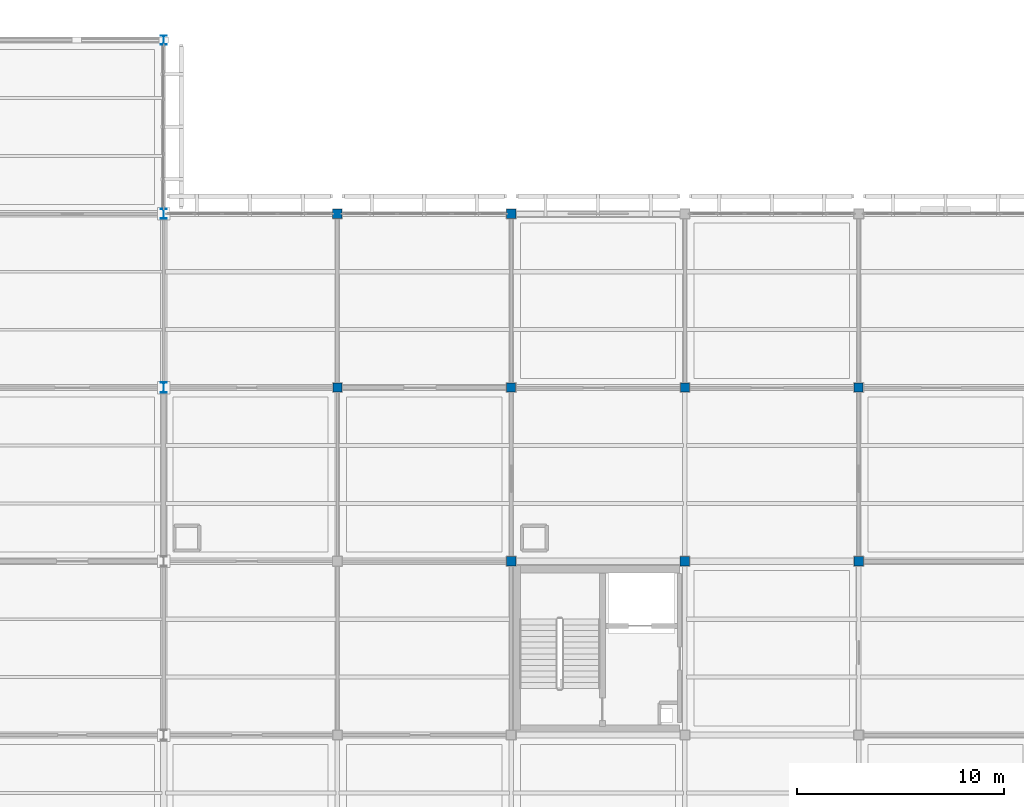
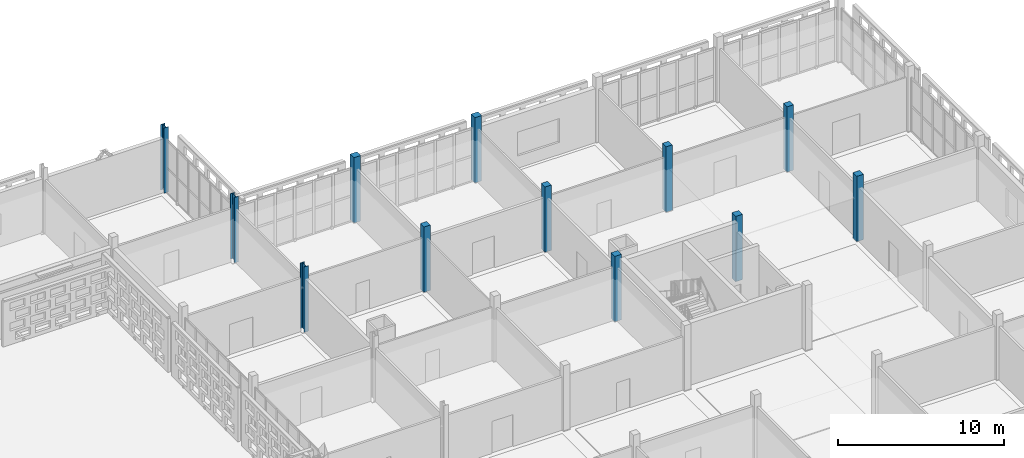
# One storey, part 14 of 203: 12 columns.
"""IFC4 building model written with IfcOpenShell, lengths in metres."""

import ifcopenshell
import ifcopenshell.guid

model = None  # the IFC model being written
_history = None  # IfcOwnerHistory: only IFC2X3 demands one
_inside = {}  # id of a spatial element -> (the spatial element, [elements in it])
_under = {}  # id of a project, library or spatial element -> (it, [spatial elements below it])
_declared = {}  # id of a project -> (the project, [libraries it declares])
_typed = {}  # id of a type object -> (the type object, [elements of that type])
_made_of = {}  # id of a material, layer set ... -> (it, [elements and type objects made of it])


def new_model(schema):
    """Start an empty IFC model of exactly this schema.

    Asked for "IFC4X3", IfcOpenShell would pick the latest addendum, in which some entities
    have other attributes; the version numbers below select the first issue.
    IFC2X3 requires an IfcOwnerHistory on every rooted entity: one is made here for all.
    """
    global model, _history
    if schema == "IFC4X3":
        model = ifcopenshell.file(schema_version=(4, 3, 0, 0))
    else:
        model = ifcopenshell.file(schema=schema)
    _inside.clear()
    _under.clear()
    _declared.clear()
    _typed.clear()
    _made_of.clear()
    _history = None
    if model.schema == "IFC2X3":
        org = make("IfcOrganization", Name="unknown")
        user = make(
            "IfcPersonAndOrganization",
            ThePerson=make("IfcPerson", FamilyName="unknown"),
            TheOrganization=org,
        )
        app = make(
            "IfcApplication",
            ApplicationDeveloper=org,
            Version="unknown",
            ApplicationFullName="unknown",
            ApplicationIdentifier="unknown",
        )
        _history = make(
            "IfcOwnerHistory",
            OwningUser=user,
            OwningApplication=app,
            ChangeAction="ADDED",
            CreationDate=0,
        )
    return model


def make(cls, **values):
    """One entity of the class cls with the attributes given. An attribute that is None is left unset."""
    return model.create_entity(
        cls, **{name: value for name, value in values.items() if value is not None}
    )


def rooted(cls, **values):
    """An entity with a GlobalId (a new one), such as an element, a storey or a relation."""
    return make(cls, GlobalId=ifcopenshell.guid.new(), OwnerHistory=_history, **values)


def si_unit(unit_type, name, prefix=None):
    """IfcSIUnit, for example si_unit("LENGTHUNIT", "METRE", prefix="MILLI")."""
    return make("IfcSIUnit", UnitType=unit_type, Prefix=prefix, Name=name)


def assignment(units):
    """IfcUnitAssignment: the units of a project."""
    return None if units is None else make("IfcUnitAssignment", Units=units)


def point(xyz):
    """IfcCartesianPoint."""
    return None if xyz is None else make("IfcCartesianPoint", Coordinates=xyz)


def direction(xyz):
    """IfcDirection."""
    return None if xyz is None else make("IfcDirection", DirectionRatios=xyz)


def frame(location, z_axis=None, x_axis=None):
    """IfcAxis2Placement3D, a coordinate frame: its origin and axes. An axis left out is left unset."""
    return make(
        "IfcAxis2Placement3D",
        Location=point(location),
        Axis=direction(z_axis),
        RefDirection=direction(x_axis),
    )


def frame_2d(location, x_axis=None):
    """IfcAxis2Placement2D, a coordinate frame in the plane: its origin and x axis."""
    return make(
        "IfcAxis2Placement2D", Location=point(location), RefDirection=direction(x_axis)
    )


def origin():
    """The frame at (0, 0, 0) with its axes left unset."""
    return frame((0.0, 0.0, 0.0))


def origin_2d():
    """The frame at (0, 0) in the plane with its x axis left unset."""
    return frame_2d((0.0, 0.0))


def place(relative_to, where):
    """IfcLocalPlacement: puts the frame where relative to a parent placement (None: the world)."""
    return make(
        "IfcLocalPlacement", PlacementRelTo=relative_to, RelativePlacement=where
    )


def context(
    kind, dimensions, precision=None, world=None, true_north=None, identifier=None
):
    """IfcGeometricRepresentationContext, for example the 3D "Model" context."""
    return make(
        "IfcGeometricRepresentationContext",
        ContextIdentifier=identifier,
        ContextType=kind,
        CoordinateSpaceDimension=dimensions,
        Precision=precision,
        WorldCoordinateSystem=world,
        TrueNorth=true_north,
    )


def subcontext(parent, identifier, kind, view, scale=None):
    """IfcGeometricRepresentationSubContext, for example "Body" below "Model"."""
    return make(
        "IfcGeometricRepresentationSubContext",
        ContextIdentifier=identifier,
        ContextType=kind,
        ParentContext=parent,
        TargetScale=scale,
        TargetView=view,
    )


def project(units=None, contexts=None):
    """IfcProject with its units and contexts."""
    return rooted(
        "IfcProject",
        Name="project",
        RepresentationContexts=contexts,
        UnitsInContext=assignment(units),
    )


def spatial(cls, under=None, at=None, **own):
    """A site, building, storey or space (cls), placed at a placement, below another one or the project."""
    s = rooted(cls, ObjectPlacement=at, **own)
    if under is not None:
        _under.setdefault(under.id(), (under, []))[1].append(s)
    return s


def profile(cls, at=None, kind="AREA", **sizes):
    """A parametric profile (cls). Its sizes go by their IFC names, for example OverallWidth=200.0."""
    return make(cls, ProfileType=kind, Position=at, **sizes)


def rectangle(**sizes):
    """IfcRectangleProfileDef."""
    return profile("IfcRectangleProfileDef", **sizes)


def i_section(**sizes):
    """IfcIShapeProfileDef."""
    return profile("IfcIShapeProfileDef", **sizes)


def extrude(swept, where, along, depth):
    """IfcExtrudedAreaSolid: the profile swept, set in the frame where, extruded along a direction by depth."""
    return make(
        "IfcExtrudedAreaSolid",
        SweptArea=swept,
        Position=where,
        ExtrudedDirection=direction(along),
        Depth=depth,
    )


def shape(context_of_items, identifier, shape_type, items):
    """IfcShapeRepresentation: the items that make up one representation, for example the "Body"."""
    return make(
        "IfcShapeRepresentation",
        ContextOfItems=context_of_items,
        RepresentationIdentifier=identifier,
        RepresentationType=shape_type,
        Items=items,
    )


def material(Name=None, Category=None):
    """IfcMaterial."""
    return make("IfcMaterial", Name=Name, Category=Category)


def material_profile(
    of_material, cross_section, Name=None, Category=None, Priority=None
):
    """IfcMaterialProfile: a cross section and its material."""
    return make(
        "IfcMaterialProfile",
        Name=Name,
        Material=of_material,
        Profile=cross_section,
        Priority=Priority,
        Category=Category,
    )


def profile_set(profiles, Name=None, composite=None):
    """IfcMaterialProfileSet."""
    return make(
        "IfcMaterialProfileSet",
        Name=Name,
        MaterialProfiles=profiles,
        CompositeProfile=composite,
    )


def made_of(thing, what):
    """Note that an element or type object is made of a material, layer set ...; save() writes the relation."""
    if what is not None:
        _made_of.setdefault(what.id(), (what, []))[1].append(thing)
    return thing


def type_object(cls, material=None, **own):
    """A type object (cls), such as IfcWallType, which elements share."""
    return made_of(rooted(cls, **own), material)


def element(
    cls,
    number,
    at=None,
    inside=None,
    cuts=None,
    type_object=None,
    material=None,
    context=None,
    identifier="Body",
    shape_type=None,
    held_by="IfcProductDefinitionShape",
    body=None,
    shapes=None,
    **own,
):
    """One element of the class cls, such as IfcWall. Its Tag is "e" and its number.

    at: its placement. inside: the storey or other place that contains it. cuts: it is an
    opening in that element (IfcRelVoidsElement). A single representation is given by context,
    identifier, shape_type and body (its items); several are given by shapes. held_by: the class
    of the entity that holds the representations. save() writes the other relations.
    """
    e = rooted(cls, Tag="e%d" % number, ObjectPlacement=at, **own)
    if body is not None:
        shapes = [shape(context, identifier, shape_type, body)]
    if shapes is not None:
        e.Representation = make(held_by, Representations=shapes)
    if inside is not None:
        _inside.setdefault(inside.id(), (inside, []))[1].append(e)
    if cuts is not None:
        rooted(
            "IfcRelVoidsElement", RelatingBuildingElement=cuts, RelatedOpeningElement=e
        )
    if type_object is not None:
        _typed.setdefault(type_object.id(), (type_object, []))[1].append(e)
    return made_of(e, material)


def aggregate(whole, parts):
    """IfcRelAggregates: a whole, such as a stair, and the parts it consists of."""
    return rooted("IfcRelAggregates", RelatingObject=whole, RelatedObjects=parts)


def save(model, path):
    """Write the relations noted so far, then the file.

    IfcRelAggregates (storeys below a building ...), IfcRelContainedInSpatialStructure (elements
    in a storey), IfcRelDefinesByType, IfcRelAssociatesMaterial and IfcRelDeclares: one each for
    every whole, place, type object, material and project.
    """
    for whole, parts in _under.values():
        aggregate(whole, parts)
    for where, things in _inside.values():
        rooted(
            "IfcRelContainedInSpatialStructure",
            RelatedElements=things,
            RelatingStructure=where,
        )
    for kind, things in _typed.values():
        rooted("IfcRelDefinesByType", RelatedObjects=things, RelatingType=kind)
    for what, things in _made_of.values():
        rooted("IfcRelAssociatesMaterial", RelatedObjects=things, RelatingMaterial=what)
    for by, libraries in _declared.values():
        rooted("IfcRelDeclares", RelatingContext=by, RelatedDefinitions=libraries)
    model.write(path)


model = new_model("IFC4")

# Units and contexts
model_context = context("Model", 3, precision=1e-05, world=origin(), true_north=direction((0.0, 1.0)))
body_context = subcontext(model_context, "Body", "Model", "MODEL_VIEW")
ifc_project = project(units=[si_unit("LENGTHUNIT", "METRE"), si_unit("AREAUNIT", "SQUARE_METRE"), si_unit("VOLUMEUNIT", "CUBIC_METRE"), si_unit("PLANEANGLEUNIT", "RADIAN"), si_unit("MASSUNIT", "GRAM", prefix="KILO")], contexts=[model_context])

# Site, building, storey
site_placement = place(None, origin())
site = spatial("IfcSite", under=ifc_project, at=site_placement, CompositionType="ELEMENT")
building_placement = place(site_placement, origin())
building = spatial("IfcBuilding", under=site, at=building_placement, Name="Varnapada Polytechnic", CompositionType="ELEMENT")
storey_placement = place(building_placement, frame((0.0, 0.0, 4.800048828125)))
storey = spatial("IfcBuildingStorey", under=building, at=storey_placement, Name="L01", CompositionType="ELEMENT", Elevation=4.800048828125)

# Columns
ifc_material_1 = material(Name="Steel S355", Category="steel")
ifc_material_profile_1 = material_profile(ifc_material_1, i_section(OverallWidth=0.300048828125, OverallDepth=0.5, WebThickness=0.014404296875, FlangeThickness=0.028076171875, FilletRadius=0.027099609375, at=origin_2d()), Name="HEB 500")
ifc_profile_set_1 = profile_set([ifc_material_profile_1], Name="Steel S355")
column_type_1 = type_object("IfcColumnType", Name="Column C-06 (HEB 500)", PredefinedType="COLUMN", material=ifc_profile_set_1)
for number, where, z_axis, x_axis, name in (
    (1, (134.39990234375, 109.199951171875, 0.0), (0.0, 0.0, 1.0), (1.0, 0.0, 0.0), "L01 column 17/14"),
    (2, (134.39990234375, 117.60009765625, 0.0), (0.0, 0.0, 1.0), (1.0, 0.0, 0.0), "L01 column 17/15"),
):
    element("IfcColumn", number, at=place(storey_placement, frame(where, z_axis=z_axis, x_axis=x_axis)), inside=storey, type_object=column_type_1, Name=name, PredefinedType="COLUMN", context=body_context, shape_type="SweptSolid", body=[
        extrude(i_section(OverallWidth=0.300048828125, OverallDepth=0.5, WebThickness=0.014404296875, FlangeThickness=0.028076171875, FilletRadius=0.027099609375, at=origin_2d()), origin(), (0.0, 0.0, 1.0), 4.800048828125),
    ])
ifc_material_2 = material(Name="Glulam GL32h", Category="wood")
ifc_material_profile_2 = material_profile(ifc_material_2, rectangle(XDim=0.4599609375, YDim=0.4599609375, at=origin_2d()), Name="GL 460x460")
ifc_profile_set_2 = profile_set([ifc_material_profile_2], Name="Glulam GL32h")
column_type_2 = type_object("IfcColumnType", Name="Column C-12 (GL 460x460)", PredefinedType="COLUMN", material=ifc_profile_set_2)
for number, where, z_axis, x_axis, name in (
    (3, (142.800048828125, 117.60009765625, 0.0), (0.0, 0.0, 1.0), (1.0, 0.0, 0.0), "L01 column 18/15"),
    (4, (151.199951171875, 100.800048828125, 0.0), (0.0, 0.0, 1.0), (1.0, 0.0, 0.0), "L01 column 19/13"),
    (5, (151.199951171875, 117.60009765625, 0.0), (0.0, 0.0, 1.0), (1.0, 0.0, 0.0), "L01 column 19/15"),
    (6, (159.60009765625, 100.800048828125, 0.0), (0.0, 0.0, 1.0), (1.0, 0.0, 0.0), "L01 column 20/13"),
    (7, (168.0, 100.800048828125, 0.0), (0.0, 0.0, 1.0), (1.0, 0.0, 0.0), "L01 column 21/13"),
):
    element("IfcColumn", number, at=place(storey_placement, frame(where, z_axis=z_axis, x_axis=x_axis)), inside=storey, type_object=column_type_2, Name=name, PredefinedType="COLUMN", context=body_context, shape_type="SweptSolid", body=[
        extrude(rectangle(XDim=0.4599609375, YDim=0.4599609375, at=origin_2d()), origin(), (0.0, 0.0, 1.0), 4.800048828125),
    ])
ifc_material_profile_3 = material_profile(ifc_material_2, rectangle(XDim=0.43994140625, YDim=0.43994140625, at=origin_2d()), Name="GL 440x440")
ifc_profile_set_3 = profile_set([ifc_material_profile_3], Name="Glulam GL32h")
column_type_3 = type_object("IfcColumnType", Name="Column C-26 (GL 440x440)", PredefinedType="COLUMN", material=ifc_profile_set_3)
for number, where, z_axis, x_axis, name in (
    (8, (142.800048828125, 109.199951171875, 0.0), (0.0, 0.0, 1.0), (1.0, 0.0, 0.0), "L01 column 18/14"),
    (9, (151.199951171875, 109.199951171875, 0.0), (0.0, 0.0, 1.0), (1.0, 0.0, 0.0), "L01 column 19/14"),
    (10, (159.60009765625, 109.199951171875, 0.0), (0.0, 0.0, 1.0), (1.0, 0.0, 0.0), "L01 column 20/14"),
    (11, (168.0, 109.199951171875, 0.0), (0.0, 0.0, 1.0), (1.0, 0.0, 0.0), "L01 column 21/14"),
):
    element("IfcColumn", number, at=place(storey_placement, frame(where, z_axis=z_axis, x_axis=x_axis)), inside=storey, type_object=column_type_3, Name=name, PredefinedType="COLUMN", context=body_context, shape_type="SweptSolid", body=[
        extrude(rectangle(XDim=0.43994140625, YDim=0.43994140625, at=origin_2d()), origin(), (0.0, 0.0, 1.0), 4.800048828125),
    ])
ifc_material_profile_4 = material_profile(ifc_material_1, i_section(OverallWidth=0.300048828125, OverallDepth=0.43994140625, WebThickness=0.011474609375, FlangeThickness=0.02099609375, FilletRadius=0.027099609375, at=origin_2d()), Name="HEA 450")
ifc_profile_set_4 = profile_set([ifc_material_profile_4], Name="Steel S355")
column_type_4 = type_object("IfcColumnType", Name="Column C-30 (HEA 450)", PredefinedType="COLUMN", material=ifc_profile_set_4)
column_placement = place(storey_placement, frame((134.39990234375, 126.0, 0.0), z_axis=(0.0, 0.0, 1.0), x_axis=(1.0, 0.0, 0.0)))
element("IfcColumn", 12, at=column_placement, inside=storey, type_object=column_type_4, Name="L01 column 17/16", PredefinedType="COLUMN", context=body_context, shape_type="SweptSolid", body=[
    extrude(i_section(OverallWidth=0.300048828125, OverallDepth=0.43994140625, WebThickness=0.011474609375, FlangeThickness=0.02099609375, FilletRadius=0.027099609375, at=origin_2d()), origin(), (0.0, 0.0, 1.0), 4.800048828125),
])

save(model, "model.ifc")
